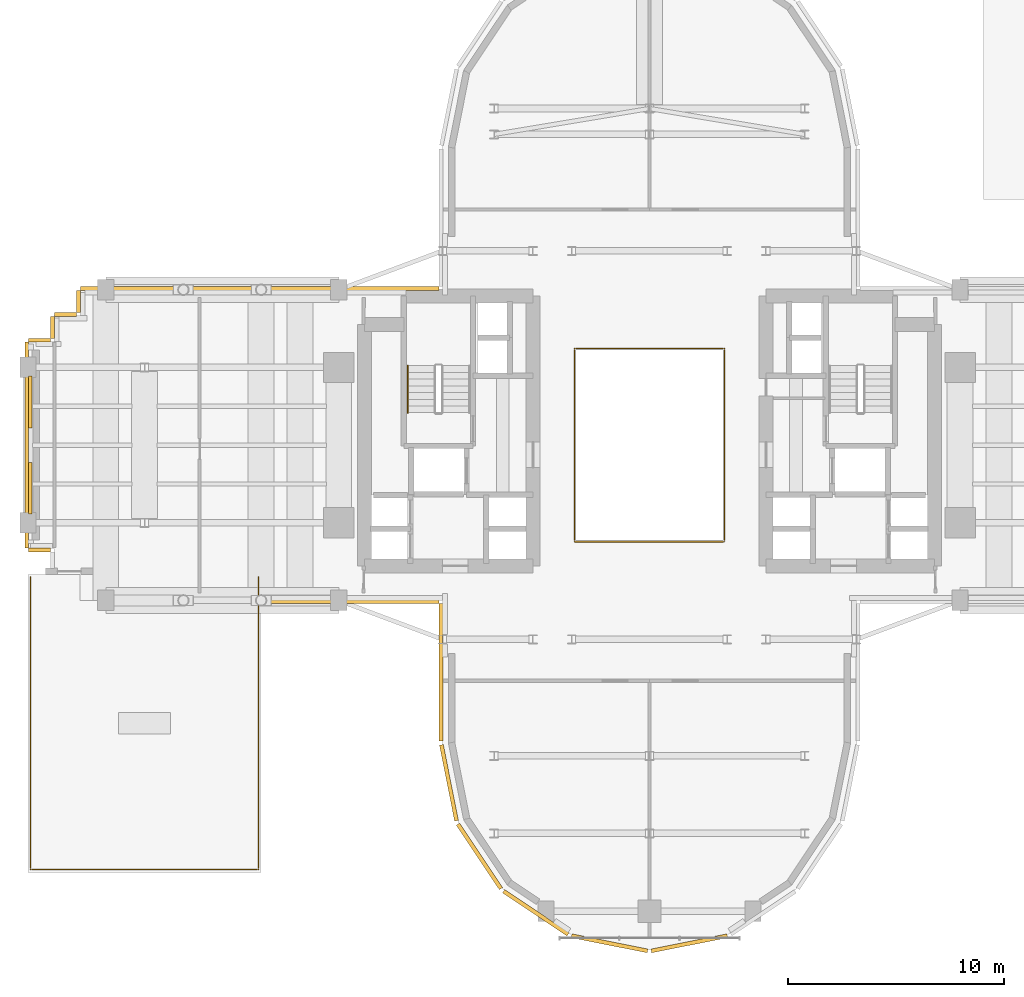
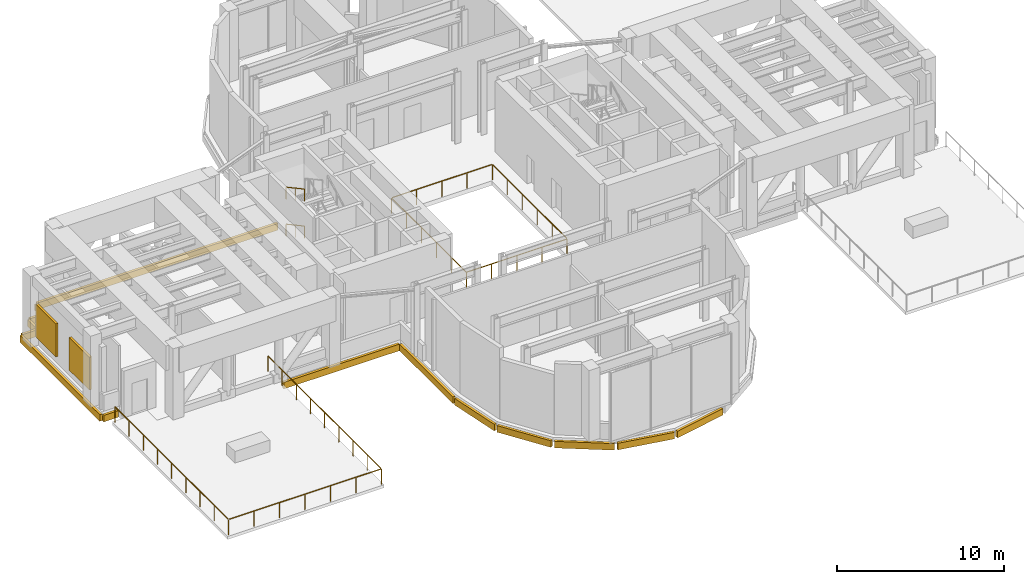
# One storey, part 12 of 16: 14 coverings, 4 railings, 2 shading devices.
"""IFC4 building model written with IfcOpenShell, lengths in metres."""

from ifc_helpers import new_model, si_unit, direction, frame, origin, origin_2d, place, context, subcontext, project, spatial, rectangle, extrude, source, transform, mapped, material, layer, layer_set, type_object, element, save


model = new_model("IFC4")

# Units and contexts
model_context = context("Model", 3, precision=1e-05, world=origin(), true_north=direction((0.0, 1.0)))
body_context = subcontext(model_context, "Body", "Model", "MODEL_VIEW")
ifc_project = project(units=[si_unit("LENGTHUNIT", "METRE"), si_unit("AREAUNIT", "SQUARE_METRE"), si_unit("VOLUMEUNIT", "CUBIC_METRE"), si_unit("PLANEANGLEUNIT", "RADIAN"), si_unit("MASSUNIT", "GRAM", prefix="KILO")], contexts=[model_context])

# Site, building, storey
site_placement = place(None, origin())
site = spatial("IfcSite", under=ifc_project, at=site_placement, CompositionType="ELEMENT")
building_placement = place(site_placement, origin())
building = spatial("IfcBuilding", under=site, at=building_placement, Name="Keilestroom Media Tower", CompositionType="ELEMENT")
storey_placement = place(building_placement, frame((0.0, 0.0, 25.199951171875)))
storey = spatial("IfcBuildingStorey", under=building, at=storey_placement, Name="L05", CompositionType="ELEMENT", Elevation=25.199951171875)

# Railings
ifc_material_1 = material(Name="Laminated Safety Glass & Bronze Steel", Category="steel")
railing_type_1 = type_object("IfcRailingType", Name="Atrium-Void-Guard-Balustrade-1150", PredefinedType="BALUSTRADE", material=ifc_material_1)
railing_1_placement = place(storey_placement, frame((-3.47998046875, -4.47998046875, 0.0)))
element("IfcRailing", 1, at=railing_1_placement, inside=storey, type_object=railing_type_1, Name="L05 Central Atrium Void Balustrade", PredefinedType="BALUSTRADE", context=body_context, shape_type="SweptSolid", body=[
    extrude(rectangle(XDim=0.048095703125, YDim=0.048095703125, at=origin_2d()), frame((0.0, 0.0, 1.1259765625), z_axis=(1.0, 0.0, 0.0), x_axis=(0.0, 1.0, 0.0)), (0.0, 0.0, 1.0), 6.911865234375),
    extrude(rectangle(XDim=0.048095703125, YDim=0.048095703125, at=origin_2d()), frame((6.9599609375, 0.048095703125, 1.1259765625), z_axis=(0.0, 1.0, 0.0), x_axis=(-1.0, 0.0, 0.0)), (0.0, 0.0, 1.0), 8.86376953125),
    extrude(rectangle(XDim=0.048095703125, YDim=0.048095703125, at=origin_2d()), frame((6.911865234375, 8.9599609375, 1.1259765625), z_axis=(-1.0, 0.0, 0.0), x_axis=(0.0, -1.0, 0.0)), (0.0, 0.0, 1.0), 6.86376953125),
    extrude(rectangle(XDim=0.048095703125, YDim=0.048095703125, at=origin_2d()), frame((0.0, 8.911865234375, 1.1259765625), z_axis=(0.0, -1.0, 0.0), x_axis=(1.0, 0.0, 0.0)), (0.0, 0.0, 1.0), 8.86376953125),
    extrude(rectangle(XDim=0.0419921875, YDim=0.0419921875, at=origin_2d()), origin(), (0.0, 0.0, 1.0), 1.09375),
    extrude(rectangle(XDim=0.0419921875, YDim=0.0419921875, at=origin_2d()), frame((1.739990234375, 0.0, 0.0)), (0.0, 0.0, 1.0), 1.09375),
    extrude(rectangle(XDim=0.0419921875, YDim=0.0419921875, at=origin_2d()), frame((3.47998046875, 0.0, 0.0)), (0.0, 0.0, 1.0), 1.09375),
    extrude(rectangle(XDim=0.0419921875, YDim=0.0419921875, at=origin_2d()), frame((5.219970703125, 0.0, 0.0)), (0.0, 0.0, 1.0), 1.09375),
    extrude(rectangle(XDim=0.0419921875, YDim=0.0419921875, at=origin_2d()), frame((6.9599609375, 0.0, 0.0)), (0.0, 0.0, 1.0), 1.09375),
    extrude(rectangle(XDim=0.0419921875, YDim=0.0419921875, at=origin_2d()), frame((6.9599609375, 1.7919921875, 0.0)), (0.0, 0.0, 1.0), 1.09375),
    extrude(rectangle(XDim=0.0419921875, YDim=0.0419921875, at=origin_2d()), frame((6.9599609375, 3.583984375, 0.0)), (0.0, 0.0, 1.0), 1.09375),
    extrude(rectangle(XDim=0.0419921875, YDim=0.0419921875, at=origin_2d()), frame((6.9599609375, 5.3759765625, 0.0)), (0.0, 0.0, 1.0), 1.09375),
    extrude(rectangle(XDim=0.0419921875, YDim=0.0419921875, at=origin_2d()), frame((6.9599609375, 7.16796875, 0.0)), (0.0, 0.0, 1.0), 1.09375),
    extrude(rectangle(XDim=0.0419921875, YDim=0.0419921875, at=origin_2d()), frame((6.9599609375, 8.9599609375, 0.0)), (0.0, 0.0, 1.0), 1.09375),
    extrude(rectangle(XDim=0.0419921875, YDim=0.0419921875, at=origin_2d()), frame((5.219970703125, 8.9599609375, 0.0)), (0.0, 0.0, 1.0), 1.09375),
    extrude(rectangle(XDim=0.0419921875, YDim=0.0419921875, at=origin_2d()), frame((3.47998046875, 8.9599609375, 0.0)), (0.0, 0.0, 1.0), 1.09375),
    extrude(rectangle(XDim=0.0419921875, YDim=0.0419921875, at=origin_2d()), frame((1.739990234375, 8.9599609375, 0.0)), (0.0, 0.0, 1.0), 1.09375),
    extrude(rectangle(XDim=0.0419921875, YDim=0.0419921875, at=origin_2d()), frame((0.0, 8.9599609375, 0.0)), (0.0, 0.0, 1.0), 1.09375),
    extrude(rectangle(XDim=0.0419921875, YDim=0.0419921875, at=origin_2d()), frame((0.0, 7.16796875, 0.0)), (0.0, 0.0, 1.0), 1.09375),
    extrude(rectangle(XDim=0.0419921875, YDim=0.0419921875, at=origin_2d()), frame((0.0, 5.3759765625, 0.0)), (0.0, 0.0, 1.0), 1.09375),
    extrude(rectangle(XDim=0.0419921875, YDim=0.0419921875, at=origin_2d()), frame((0.0, 3.583984375, 0.0)), (0.0, 0.0, 1.0), 1.09375),
    extrude(rectangle(XDim=0.0419921875, YDim=0.0419921875, at=origin_2d()), frame((0.0, 1.7919921875, 0.0)), (0.0, 0.0, 1.0), 1.09375),
])
ifc_material_2 = material(Name="Brushed Stainless Steel 1.4301", Category="steel")
railing_type_2 = type_object("IfcRailingType", Name="Stair-Pitch-Handrail-920", PredefinedType="HANDRAIL", material=ifc_material_2)
railing_2_placement = place(storey_placement, frame((-11.2099609375, 3.68408203125, 1.518798828125)))
element("IfcRailing", 2, at=railing_2_placement, inside=storey, type_object=railing_type_2, Name="L05 ST-1 stair handrail 2", PredefinedType="HANDRAIL", context=body_context, shape_type="SweptSolid", body=[
    extrude(rectangle(XDim=0.048095703125, YDim=0.048095703125, at=origin_2d()), frame((0.0, 0.0, 0.8759765625), z_axis=(0.0, -0.879610894823, 0.475693886559), x_axis=(1.0, 0.0, 0.0)), (0.0, 0.0, 1.0), 2.48291015625),
    extrude(rectangle(XDim=0.0419921875, YDim=0.0419921875, at=origin_2d()), origin(), (0.0, 0.0, 1.0), 0.84375),
    extrude(rectangle(XDim=0.0419921875, YDim=0.0419921875, at=origin_2d()), frame((0.0, -1.092041015625, 0.590576171875)), (0.0, 0.0, 1.0), 0.84375),
    extrude(rectangle(XDim=0.0419921875, YDim=0.0419921875, at=origin_2d()), frame((0.0, -2.18408203125, 1.18115234375)), (0.0, 0.0, 1.0), 0.84375),
])
railing_3_placement = place(storey_placement, frame((-11.2099609375, 3.68408203125, 4.21875)))
element("IfcRailing", 3, at=railing_3_placement, inside=storey, type_object=railing_type_2, Name="L05 ST-1 stair handrail 4", PredefinedType="HANDRAIL", context=body_context, shape_type="SweptSolid", body=[
    extrude(rectangle(XDim=0.048095703125, YDim=0.048095703125, at=origin_2d()), frame((0.0, 0.0, 0.8759765625), z_axis=(0.0, -0.879569751981, 0.475769956387), x_axis=(1.0, 0.0, 0.0)), (0.0, 0.0, 1.0), 2.483154296875),
    extrude(rectangle(XDim=0.0419921875, YDim=0.0419921875, at=origin_2d()), origin(), (0.0, 0.0, 1.0), 0.84375),
    extrude(rectangle(XDim=0.0419921875, YDim=0.0419921875, at=origin_2d()), frame((0.0, -1.092041015625, 0.5908203125)), (0.0, 0.0, 1.0), 0.84375),
    extrude(rectangle(XDim=0.0419921875, YDim=0.0419921875, at=origin_2d()), frame((0.0, -2.18408203125, 1.181396484375)), (0.0, 0.0, 1.0), 0.84375),
])
ifc_material_3 = material(Name="Laminated Safety Glass & Stainless Steel", Category="steel")
railing_type_3 = type_object("IfcRailingType", Name="Terrace-And-Atrium-Guard-Balustrade-GD-EXT", PredefinedType="BALUSTRADE", material=ifc_material_3)
railing_4_placement = place(storey_placement, frame((-28.679931640625, -6.1201171875, 0.0)))
element("IfcRailing", 4, at=railing_4_placement, inside=storey, type_object=railing_type_3, Name="L05 Terrace Perimeter Guard POD-SW", PredefinedType="BALUSTRADE", context=body_context, shape_type="SweptSolid", body=[
    extrude(rectangle(XDim=0.048095703125, YDim=0.048095703125, at=origin_2d()), frame((0.0, 0.0, 1.1259765625), z_axis=(0.0, -1.0, 0.0), x_axis=(1.0, 0.0, 0.0)), (0.0, 0.0, 1.0), 13.51171875),
    extrude(rectangle(XDim=0.048095703125, YDim=0.048095703125, at=origin_2d()), frame((0.048095703125, -13.559814453125, 1.1259765625), z_axis=(1.0, 0.0, 0.0), x_axis=(0.0, 1.0, 0.0)), (0.0, 0.0, 1.0), 10.463623046875),
    extrude(rectangle(XDim=0.048095703125, YDim=0.048095703125, at=origin_2d()), frame((10.559814453125, -13.51171875, 1.1259765625), z_axis=(0.0, 1.0, 0.0), x_axis=(-1.0, 0.0, 0.0)), (0.0, 0.0, 1.0), 13.51171875),
    extrude(rectangle(XDim=0.0419921875, YDim=0.0419921875, at=origin_2d()), origin(), (0.0, 0.0, 1.0), 1.09375),
    extrude(rectangle(XDim=0.0419921875, YDim=0.0419921875, at=origin_2d()), frame((0.0, -1.695068359375, 0.0)), (0.0, 0.0, 1.0), 1.09375),
    extrude(rectangle(XDim=0.0419921875, YDim=0.0419921875, at=origin_2d()), frame((0.0, -3.389892578125, 0.0)), (0.0, 0.0, 1.0), 1.09375),
    extrude(rectangle(XDim=0.0419921875, YDim=0.0419921875, at=origin_2d()), frame((0.0, -5.0849609375, 0.0)), (0.0, 0.0, 1.0), 1.09375),
    extrude(rectangle(XDim=0.0419921875, YDim=0.0419921875, at=origin_2d()), frame((0.0, -6.77978515625, 0.0)), (0.0, 0.0, 1.0), 1.09375),
    extrude(rectangle(XDim=0.0419921875, YDim=0.0419921875, at=origin_2d()), frame((0.0, -8.474853515625, 0.0)), (0.0, 0.0, 1.0), 1.09375),
    extrude(rectangle(XDim=0.0419921875, YDim=0.0419921875, at=origin_2d()), frame((0.0, -10.169921875, 0.0)), (0.0, 0.0, 1.0), 1.09375),
    extrude(rectangle(XDim=0.0419921875, YDim=0.0419921875, at=origin_2d()), frame((0.0, -11.86474609375, 0.0)), (0.0, 0.0, 1.0), 1.09375),
    extrude(rectangle(XDim=0.0419921875, YDim=0.0419921875, at=origin_2d()), frame((0.0, -13.559814453125, 0.0)), (0.0, 0.0, 1.0), 1.09375),
    extrude(rectangle(XDim=0.0419921875, YDim=0.0419921875, at=origin_2d()), frame((1.760009765625, -13.559814453125, 0.0)), (0.0, 0.0, 1.0), 1.09375),
    extrude(rectangle(XDim=0.0419921875, YDim=0.0419921875, at=origin_2d()), frame((3.52001953125, -13.559814453125, 0.0)), (0.0, 0.0, 1.0), 1.09375),
    extrude(rectangle(XDim=0.0419921875, YDim=0.0419921875, at=origin_2d()), frame((5.27978515625, -13.559814453125, 0.0)), (0.0, 0.0, 1.0), 1.09375),
    extrude(rectangle(XDim=0.0419921875, YDim=0.0419921875, at=origin_2d()), frame((7.039794921875, -13.559814453125, 0.0)), (0.0, 0.0, 1.0), 1.09375),
    extrude(rectangle(XDim=0.0419921875, YDim=0.0419921875, at=origin_2d()), frame((8.7998046875, -13.559814453125, 0.0)), (0.0, 0.0, 1.0), 1.09375),
    extrude(rectangle(XDim=0.0419921875, YDim=0.0419921875, at=origin_2d()), frame((10.559814453125, -13.559814453125, 0.0)), (0.0, 0.0, 1.0), 1.09375),
    extrude(rectangle(XDim=0.0419921875, YDim=0.0419921875, at=origin_2d()), frame((10.559814453125, -11.86474609375, 0.0)), (0.0, 0.0, 1.0), 1.09375),
    extrude(rectangle(XDim=0.0419921875, YDim=0.0419921875, at=origin_2d()), frame((10.559814453125, -10.169921875, 0.0)), (0.0, 0.0, 1.0), 1.09375),
    extrude(rectangle(XDim=0.0419921875, YDim=0.0419921875, at=origin_2d()), frame((10.559814453125, -8.474853515625, 0.0)), (0.0, 0.0, 1.0), 1.09375),
    extrude(rectangle(XDim=0.0419921875, YDim=0.0419921875, at=origin_2d()), frame((10.559814453125, -6.77978515625, 0.0)), (0.0, 0.0, 1.0), 1.09375),
    extrude(rectangle(XDim=0.0419921875, YDim=0.0419921875, at=origin_2d()), frame((10.559814453125, -5.0849609375, 0.0)), (0.0, 0.0, 1.0), 1.09375),
    extrude(rectangle(XDim=0.0419921875, YDim=0.0419921875, at=origin_2d()), frame((10.559814453125, -3.389892578125, 0.0)), (0.0, 0.0, 1.0), 1.09375),
    extrude(rectangle(XDim=0.0419921875, YDim=0.0419921875, at=origin_2d()), frame((10.559814453125, -1.695068359375, 0.0)), (0.0, 0.0, 1.0), 1.09375),
    extrude(rectangle(XDim=0.0419921875, YDim=0.0419921875, at=origin_2d()), frame((10.559814453125, 0.0, 0.0)), (0.0, 0.0, 1.0), 1.09375),
])

# Shading devices
ifc_material_4 = material(Name="Bronze Anodised Aluminium", Category="aluminium")
ifc_layer_1 = layer(ifc_material_4, 0.159912109375)
ifc_layer_set_1 = layer_set([ifc_layer_1], Name="Bronze Anodised Aluminium")
shading_device_type = type_object("IfcShadingDeviceType", Name="Facade-Plant-Intake-Louvre-SHD-2", PredefinedType="USERDEFINED", material=ifc_layer_set_1)
shared_shape_1 = source(origin(), body_context, "Body", "SweptSolid", [
    extrude(rectangle(XDim=0.159912109375, YDim=2.39990234375, at=origin_2d()), origin(), (0.0, 0.0, 1.0), 2.39990234375),
])
for number, where, z_axis, x_axis, name in (
    (5, (-28.68994140625, -2.0, 0.60009765625), (0.0, 0.0, 1.0), (1.0, 0.0, 0.0), "L05 Plant Intake Louvre W 01"),
    (6, (-28.68994140625, 2.0, 0.60009765625), (0.0, 0.0, 1.0), (1.0, 0.0, 0.0), "L05 Plant Intake Louvre W 02"),
):
    element("IfcShadingDevice", number, at=place(storey_placement, frame(where, z_axis=z_axis, x_axis=x_axis)), inside=storey, type_object=shading_device_type, Name=name, ObjectType="LOUVER", PredefinedType="USERDEFINED", context=body_context, shape_type="MappedRepresentation", body=[
        mapped(shared_shape_1, transform((0.0, 0.0, 0.0), x_axis=(1.0, 0.0, 0.0), y_axis=(0.0, 1.0, 0.0), z_axis=(0.0, 0.0, 1.0), scale=1.0)),
    ])

# Coverings
ifc_material_5 = material(Name="Precast concrete C40/50", Category="concrete")
ifc_layer_2 = layer(ifc_material_5, 0.1201171875)
ifc_layer_set_2 = layer_set([ifc_layer_2], Name="Precast concrete C40/50")
covering_type = type_object("IfcCoveringType", Name="Exterior-Precast-Spandrel-Cladding-Panel-120", PredefinedType="CLADDING", material=ifc_layer_set_2)
shared_shape_2 = source(origin(), body_context, "Body", "SweptSolid", [
    extrude(rectangle(XDim=1.02001953125, YDim=0.179931640625, at=origin_2d()), origin(), (0.0, 0.0, 1.0), 0.47998046875),
])
for number, where, z_axis, x_axis, name in (
    (7, (-28.260009765625, -4.860107421875, -0.659912109375), (0.0, 0.0, 1.0), (-1.0, 0.0, 0.0), "L05 Precast Slab-Edge Fascia Cornice 16"),
    (8, (-28.260009765625, 4.860107421875, -0.659912109375), (0.0, 0.0, 1.0), (1.0, 0.0, 0.0), "L05 Precast Slab-Edge Fascia Cornice 18"),
    (9, (-27.659912109375, 5.4599609375, -0.659912109375), (0.0, 0.0, 1.0), (0.0, 1.0, 0.0), "L05 Precast Slab-Edge Fascia Cornice 19"),
    (10, (-27.06005859375, 6.06005859375, -0.659912109375), (0.0, 0.0, 1.0), (1.0, 0.0, 0.0), "L05 Precast Slab-Edge Fascia Cornice 20"),
    (11, (-26.4599609375, 6.659912109375, -0.659912109375), (0.0, 0.0, 1.0), (0.0, 1.0, 0.0), "L05 Precast Slab-Edge Fascia Cornice 21"),
):
    element("IfcCovering", number, at=place(storey_placement, frame(where, z_axis=z_axis, x_axis=x_axis)), inside=storey, type_object=covering_type, Name=name, PredefinedType="CLADDING", context=body_context, shape_type="MappedRepresentation", body=[
        mapped(shared_shape_2, transform((0.0, 0.0, 0.0), x_axis=(1.0, 0.0, 0.0), y_axis=(0.0, 1.0, 0.0), z_axis=(0.0, 0.0, 1.0), scale=1.0)),
    ])
shared_shape_3 = source(origin(), body_context, "Body", "SweptSolid", [
    extrude(rectangle(XDim=7.97998046875, YDim=0.179931640625, at=origin_2d()), origin(), (0.0, 0.0, 1.0), 0.47998046875),
])
covering_1_placement = place(storey_placement, frame((-13.739990234375, -7.260009765625, -0.659912109375), z_axis=(0.0, 0.0, 1.0), x_axis=(-1.0, 0.0, 0.0)))
element("IfcCovering", 12, at=covering_1_placement, inside=storey, type_object=covering_type, Name="L05 Precast Slab-Edge Fascia Cornice 14", PredefinedType="CLADDING", context=body_context, shape_type="MappedRepresentation", body=[
    mapped(shared_shape_3, transform((0.0, 0.0, 0.0), x_axis=(1.0, 0.0, 0.0), y_axis=(0.0, 1.0, 0.0), z_axis=(0.0, 0.0, 1.0), scale=1.0)),
])
shared_shape_4 = source(origin(), body_context, "Body", "SweptSolid", [
    extrude(rectangle(XDim=6.365966796875, YDim=0.179931640625, at=origin_2d()), origin(), (0.0, 0.0, 1.0), 0.47998046875),
])
covering_2_placement = place(storey_placement, frame((-9.659912109375, -10.532958984375, -0.659912109375), z_axis=(0.0, 0.0, 1.0), x_axis=(0.0, 1.0, 0.0)))
element("IfcCovering", 13, at=covering_2_placement, inside=storey, type_object=covering_type, Name="L05 Precast Slab-Edge Fascia Cornice 13", PredefinedType="CLADDING", context=body_context, shape_type="MappedRepresentation", body=[
    mapped(shared_shape_4, transform((0.0, 0.0, 0.0), x_axis=(1.0, 0.0, 0.0), y_axis=(0.0, 1.0, 0.0), z_axis=(0.0, 0.0, 1.0), scale=1.0)),
])
shared_shape_5 = source(origin(), body_context, "Body", "SweptSolid", [
    extrude(rectangle(XDim=3.58349609375, YDim=0.179931640625, at=origin_2d()), origin(), (0.0, 0.0, 1.0), 0.47998046875),
])
covering_3_placement = place(storey_placement, frame((-9.29296875, -15.651611328125, -0.659912109375), z_axis=(0.0, 0.0, 1.0), x_axis=(-0.195098880975, 0.980783577882, 0.0)))
element("IfcCovering", 14, at=covering_3_placement, inside=storey, type_object=covering_type, Name="L05 Precast Slab-Edge Fascia Cornice 12", PredefinedType="CLADDING", context=body_context, shape_type="MappedRepresentation", body=[
    mapped(shared_shape_5, transform((0.0, 0.0, 0.0), x_axis=(1.0, 0.0, 0.0), y_axis=(0.0, 1.0, 0.0), z_axis=(0.0, 0.0, 1.0), scale=1.0)),
])
shared_shape_6 = source(origin(), body_context, "Body", "SweptSolid", [
    extrude(rectangle(XDim=3.589599609375, YDim=0.179931640625, at=origin_2d()), origin(), (0.0, 0.0, 1.0), 0.47998046875),
])
for number, where, z_axis, x_axis, name in (
    (15, (1.8486328125, -23.093505859375, -0.659912109375), (0.0, 0.0, 1.0), (-0.980783577882, -0.195098880975, 0.0), "L05 Precast Slab-Edge Fascia Cornice 08"),
    (16, (-1.8486328125, -23.093505859375, -0.659912109375), (0.0, 0.0, 1.0), (-0.980783577882, 0.195098880975, 0.0), "L05 Precast Slab-Edge Fascia Cornice 09"),
    (17, (-5.264404296875, -21.6787109375, -0.659912109375), (0.0, 0.0, 1.0), (-0.831466703332, 0.555574586577, 0.0), "L05 Precast Slab-Edge Fascia Cornice 10"),
    (18, (-7.878662109375, -19.064208984375, -0.659912109375), (0.0, 0.0, 1.0), (-0.555574586577, 0.831466703332, 0.0), "L05 Precast Slab-Edge Fascia Cornice 11"),
):
    element("IfcCovering", number, at=place(storey_placement, frame(where, z_axis=z_axis, x_axis=x_axis)), inside=storey, type_object=covering_type, Name=name, PredefinedType="CLADDING", context=body_context, shape_type="MappedRepresentation", body=[
        mapped(shared_shape_6, transform((0.0, 0.0, 0.0), x_axis=(1.0, 0.0, 0.0), y_axis=(0.0, 1.0, 0.0), z_axis=(0.0, 0.0, 1.0), scale=1.0)),
    ])
shared_shape_7 = source(origin(), body_context, "Body", "SweptSolid", [
    extrude(rectangle(XDim=9.5400390625, YDim=0.179931640625, at=origin_2d()), origin(), (0.0, 0.0, 1.0), 0.47998046875),
])
covering_4_placement = place(storey_placement, frame((-28.860107421875, 0.0, -0.659912109375), z_axis=(0.0, 0.0, 1.0), x_axis=(0.0, 1.0, 0.0)))
element("IfcCovering", 19, at=covering_4_placement, inside=storey, type_object=covering_type, Name="L05 Precast Slab-Edge Fascia Cornice 17", PredefinedType="CLADDING", context=body_context, shape_type="MappedRepresentation", body=[
    mapped(shared_shape_7, transform((0.0, 0.0, 0.0), x_axis=(1.0, 0.0, 0.0), y_axis=(0.0, 1.0, 0.0), z_axis=(0.0, 0.0, 1.0), scale=1.0)),
])
shared_shape_8 = source(origin(), body_context, "Body", "SweptSolid", [
    extrude(rectangle(XDim=16.6201171875, YDim=0.179931640625, at=origin_2d()), origin(), (0.0, 0.0, 1.0), 0.47998046875),
])
covering_5_placement = place(storey_placement, frame((-18.06005859375, 7.260009765625, -0.659912109375), z_axis=(0.0, 0.0, 1.0), x_axis=(1.0, 0.0, 0.0)))
element("IfcCovering", 20, at=covering_5_placement, inside=storey, type_object=covering_type, Name="L05 Precast Slab-Edge Fascia Cornice 22", PredefinedType="CLADDING", context=body_context, shape_type="MappedRepresentation", body=[
    mapped(shared_shape_8, transform((0.0, 0.0, 0.0), x_axis=(1.0, 0.0, 0.0), y_axis=(0.0, 1.0, 0.0), z_axis=(0.0, 0.0, 1.0), scale=1.0)),
])

save(model, "model.ifc")
